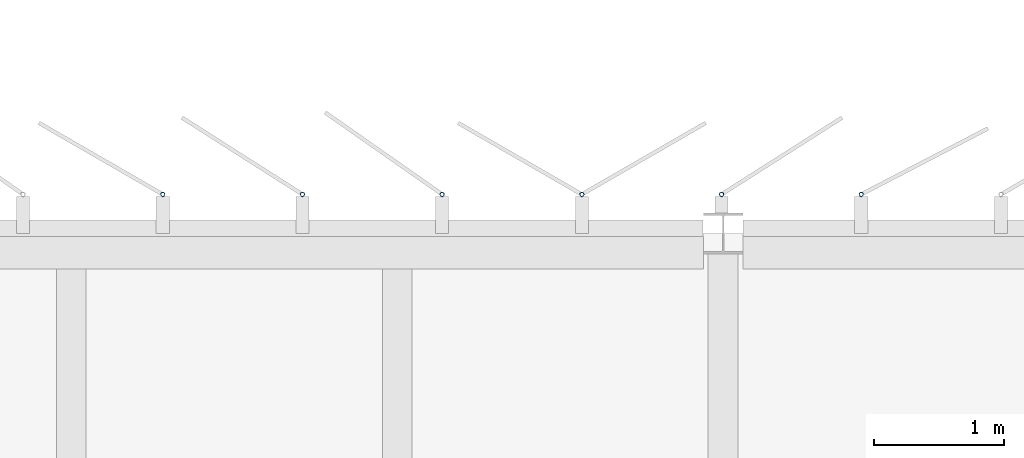
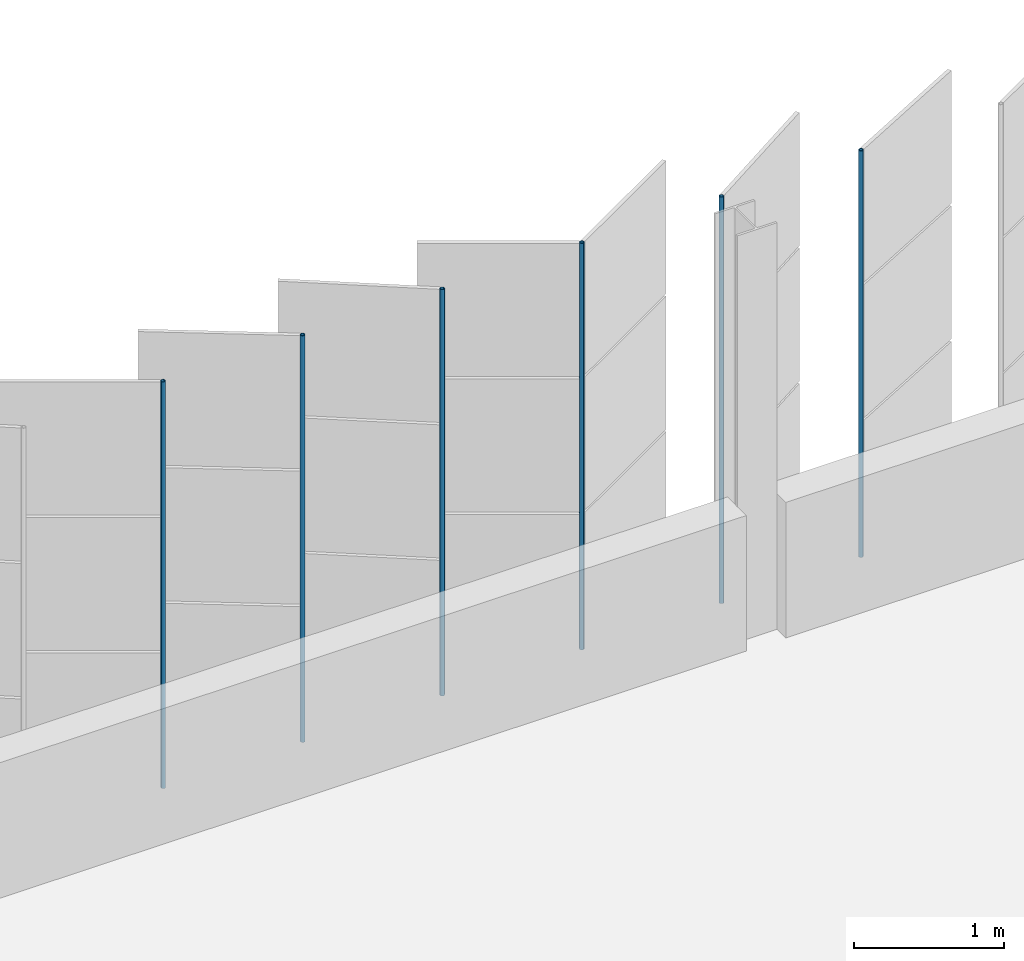
# One storey, part 150 of 214: 6 discrete accessories.
"""IFC4 building model written with IfcOpenShell, lengths in metres."""

from ifc_helpers import new_model, si_unit, direction, frame, origin, origin_2d, place, context, subcontext, project, spatial, hollow_circle, extrude, material, material_profile, profile_set, type_object, element, save


model = new_model("IFC4")

# Units and contexts
model_context = context("Model", 3, precision=1e-05, world=origin(), true_north=direction((0.0, 1.0)))
body_context = subcontext(model_context, "Body", "Model", "MODEL_VIEW")
ifc_project = project(units=[si_unit("LENGTHUNIT", "METRE"), si_unit("AREAUNIT", "SQUARE_METRE"), si_unit("VOLUMEUNIT", "CUBIC_METRE"), si_unit("PLANEANGLEUNIT", "RADIAN"), si_unit("MASSUNIT", "GRAM", prefix="KILO")], contexts=[model_context])

# Site, building, storey
site_placement = place(None, origin())
site = spatial("IfcSite", under=ifc_project, at=site_placement, CompositionType="ELEMENT")
building_placement = place(site_placement, origin())
building = spatial("IfcBuilding", under=site, at=building_placement, Name="Parallax Yard Mobility Hub", CompositionType="ELEMENT")
storey_placement = place(building_placement, frame((0.0, 0.0, 3.300048828125)))
storey = spatial("IfcBuildingStorey", under=building, at=storey_placement, Name="L01", CompositionType="ELEMENT", Elevation=3.300048828125)

# Discrete accessories
ifc_material = material(Name="Steel ASTM A500 Gr C, hot-dip galvanised", Category="steel")
ifc_material_profile = material_profile(ifc_material, hollow_circle(Radius=0.016845703125, WallThickness=0.003173828125, at=origin_2d()), Name="CHS 33.7x3.2")
ifc_profile_set = profile_set([ifc_material_profile], Name="Steel ASTM A500 Gr C, hot-dip galvanised")
discrete_accessory_type = type_object("IfcDiscreteAccessoryType", Name="Hinge post CHS 33.7x3.2", PredefinedType="BRACKET", material=ifc_profile_set)
for number, where, z_axis, x_axis, name in (
    (1, (53.55908203125, 142.800048828125, 0.0), (0.0, 0.0, 1.0), (1.0, 0.0, 0.0), "Hinge post bay 66.7 level L01"),
    (2, (52.48779296875, 142.800048828125, 0.0), (0.0, 0.0, 1.0), (1.0, 0.0, 0.0), "Hinge post bay 67.1 level L01"),
    (3, (51.416015625, 142.800048828125, 0.0), (0.0, 0.0, 1.0), (1.0, 0.0, 0.0), "Hinge post bay 67.2 level L01"),
    (4, (50.344482421875, 142.800048828125, 0.0), (0.0, 0.0, 1.0), (1.0, 0.0, 0.0), "Hinge post bay 67.3 level L01"),
    (5, (49.27294921875, 142.800048828125, 0.0), (0.0, 0.0, 1.0), (1.0, 0.0, 0.0), "Hinge post bay 67.4 level L01"),
    (6, (48.201416015625, 142.800048828125, 0.0), (0.0, 0.0, 1.0), (1.0, 0.0, 0.0), "Hinge post bay 67.5 level L01"),
):
    element("IfcDiscreteAccessory", number, at=place(storey_placement, frame(where, z_axis=z_axis, x_axis=x_axis)), inside=storey, type_object=discrete_accessory_type, Name=name, PredefinedType="BRACKET", context=body_context, shape_type="SweptSolid", body=[
        extrude(hollow_circle(Radius=0.016845703125, WallThickness=0.003173828125, at=origin_2d()), origin(), (0.0, 0.0, 1.0), 3.300048828125),
    ])

save(model, "model.ifc")
